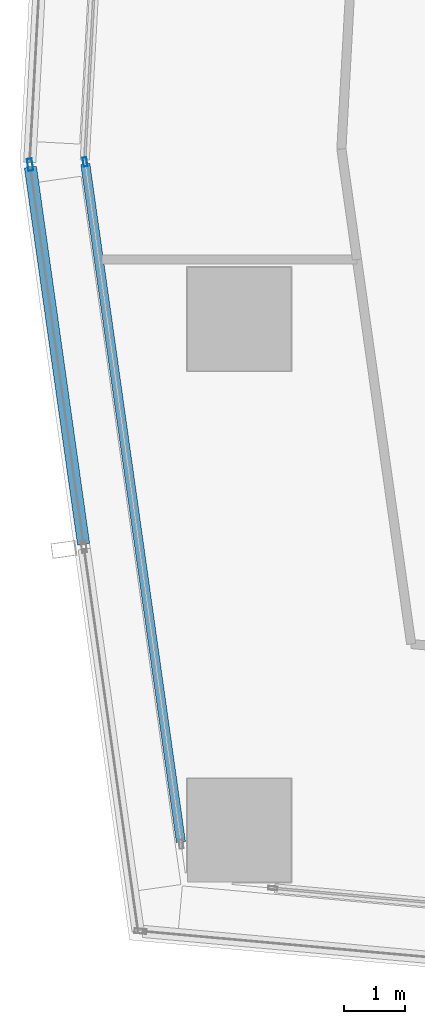
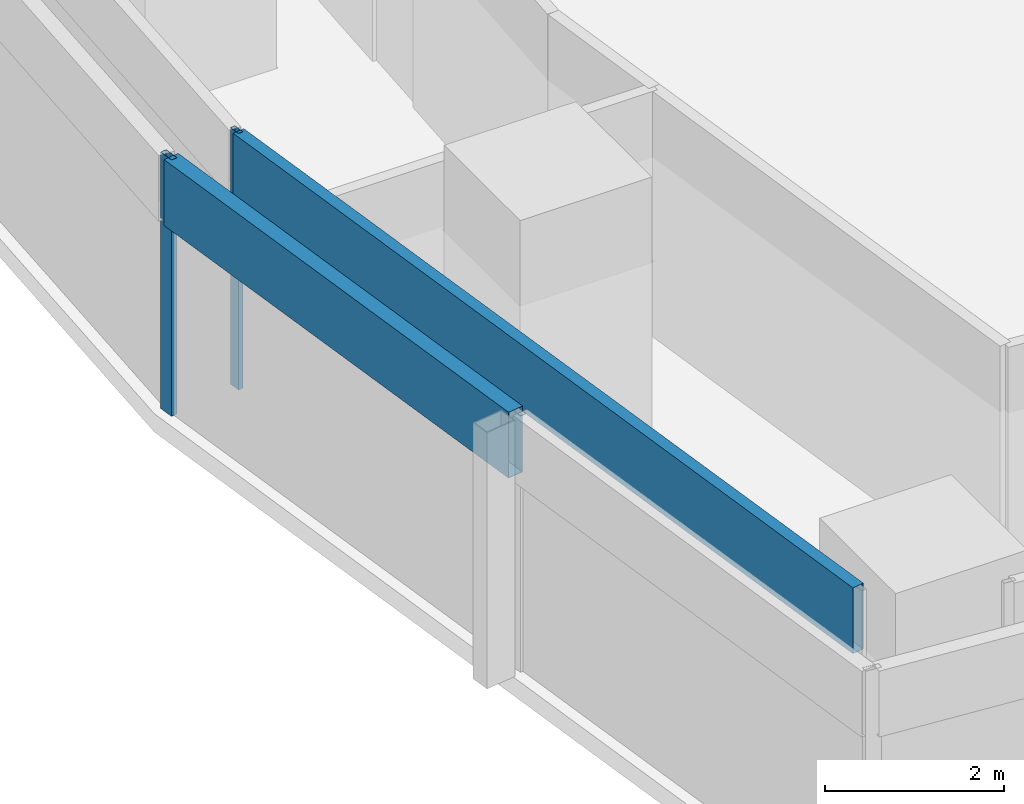
# One storey, part 4 of 40: 4 members, 2 elements without a shape of their own.
"""IFC4 building model written with IfcOpenShell, lengths in metres."""

from ifc_helpers import new_model, si_unit, direction, frame, origin, origin_2d, place, context, subcontext, project, spatial, hollow_rectangle, extrude, material, material_profile, profile_set, type_object, element, aggregate, save


model = new_model("IFC4")

# Units and contexts
model_context = context("Model", 3, precision=1e-05, world=origin(), true_north=direction((0.0, 1.0)))
body_context = subcontext(model_context, "Body", "Model", "MODEL_VIEW")
ifc_project = project(units=[si_unit("LENGTHUNIT", "METRE"), si_unit("AREAUNIT", "SQUARE_METRE"), si_unit("VOLUMEUNIT", "CUBIC_METRE"), si_unit("PLANEANGLEUNIT", "RADIAN"), si_unit("MASSUNIT", "GRAM", prefix="KILO")], contexts=[model_context])

# Site, building, storey
site_placement = place(None, origin())
site = spatial("IfcSite", under=ifc_project, at=site_placement, CompositionType="ELEMENT")
building_placement = place(site_placement, origin())
building = spatial("IfcBuilding", under=site, at=building_placement, Name="Rekha Terrace Tower", CompositionType="ELEMENT")
storey_placement = place(building_placement, frame((0.0, 0.0, 125.300048828125)))
storey = spatial("IfcBuildingStorey", under=building, at=storey_placement, Name="L31", CompositionType="ELEMENT", Elevation=125.300048828125)

# Curtain wall, members
ifc_material_1 = material(Name="Aluminium framing", Category="aluminium")
curtain_wall_type_1 = type_object("IfcCurtainWallType", Name="CW1 double skin inner glazing", PredefinedType="USERDEFINED", material=ifc_material_1)
curtain_wall_1_placement = place(storey_placement, origin())
curtain_wall_1 = element("IfcCurtainWall", 1, at=curtain_wall_1_placement, inside=storey, type_object=curtain_wall_type_1, Name="CW1 double skin inner glazing", ObjectType="DOUBLE SKIN INNER GLAZING", PredefinedType="USERDEFINED")
ifc_material_2 = material(Name="Aluminium mullion section", Category="aluminium")
ifc_material_profile_1 = material_profile(ifc_material_2, hollow_rectangle(XDim=0.06494140625, YDim=0.14990234375, WallThickness=0.00390625, at=origin_2d()), Name="AL RHS 65x150")
ifc_profile_set_1 = profile_set([ifc_material_profile_1], Name="Aluminium mullion section")
member_type_1 = type_object("IfcMemberType", Name="CW1 mullion RHS 65 x 150", PredefinedType="MULLION", material=ifc_profile_set_1)
member_1_placement = place(storey_placement, frame((5.86865234375, 27.78125, 0.0), z_axis=(0.0, 0.0, 1.0), x_axis=(0.990208394312, 0.139597048082, 0.0)))
member_1 = element("IfcMember", 2, at=member_1_placement, type_object=member_type_1, Name="CW1 mullion 1", PredefinedType="MULLION", context=body_context, shape_type="SweptSolid", body=[
    extrude(hollow_rectangle(XDim=0.06494140625, YDim=0.14990234375, WallThickness=0.00390625, at=origin_2d()), origin(), (0.0, 0.0, 1.0), 3.5),
])
ifc_material_3 = material(Name="Insulated aluminium spandrel box", Category="aluminium")
ifc_material_profile_2 = material_profile(ifc_material_3, hollow_rectangle(XDim=0.14990234375, YDim=0.89990234375, WallThickness=0.0029296875, at=origin_2d()), Name="AL SPANDREL BOX 150x900")
ifc_profile_set_2 = profile_set([ifc_material_profile_2], Name="Insulated aluminium spandrel box")
member_type_2 = type_object("IfcMemberType", Name="CW1 spandrel transom 150 x 900", PredefinedType="USERDEFINED", material=ifc_profile_set_2)
member_2_placement = place(storey_placement, frame((5.873046875, 27.7490234375, 3.050048828125), z_axis=(0.139607844155, -0.99020687225, 0.0), x_axis=(0.99020687225, 0.139607844155, 0.0)))
member_2 = element("IfcMember", 3, at=member_2_placement, type_object=member_type_2, Name="CW1 spandrel transom 1", ObjectType="TRANSOM", PredefinedType="USERDEFINED", context=body_context, shape_type="SweptSolid", body=[
    extrude(hollow_rectangle(XDim=0.14990234375, YDim=0.89990234375, WallThickness=0.0029296875, at=origin_2d()), origin(), (0.0, 0.0, 1.0), 11.253173828125),
])
aggregate(curtain_wall_1, [member_1, member_2])

curtain_wall_type_2 = type_object("IfcCurtainWallType", Name="CW2 double skin outer glazing", PredefinedType="USERDEFINED", material=ifc_material_1)
curtain_wall_2_placement = place(storey_placement, origin())
curtain_wall_2 = element("IfcCurtainWall", 4, at=curtain_wall_2_placement, inside=storey, type_object=curtain_wall_type_2, Name="CW2 double skin outer glazing", ObjectType="DOUBLE SKIN OUTER GLAZING", PredefinedType="USERDEFINED")
ifc_material_profile_3 = material_profile(ifc_material_2, hollow_rectangle(XDim=0.080078125, YDim=0.199951171875, WallThickness=0.00390625, at=origin_2d()), Name="AL RHS 80x200")
ifc_profile_set_3 = profile_set([ifc_material_profile_3], Name="Aluminium mullion section")
member_type_3 = type_object("IfcMemberType", Name="CW2 mullion RHS 80 x 200", PredefinedType="MULLION", material=ifc_profile_set_3)
member_3_placement = place(storey_placement, frame((4.96630859375, 27.7353515625, 0.0), z_axis=(0.0, 0.0, 1.0), x_axis=(0.990208394312, 0.139597048082, 0.0)))
member_3 = element("IfcMember", 5, at=member_3_placement, type_object=member_type_3, Name="CW2 mullion 1", PredefinedType="MULLION", context=body_context, shape_type="SweptSolid", body=[
    extrude(hollow_rectangle(XDim=0.080078125, YDim=0.199951171875, WallThickness=0.00390625, at=origin_2d()), origin(), (0.0, 0.0, 1.0), 3.5),
])
ifc_material_profile_4 = material_profile(ifc_material_3, hollow_rectangle(XDim=0.199951171875, YDim=0.89990234375, WallThickness=0.0029296875, at=origin_2d()), Name="AL SPANDREL BOX 200x900")
ifc_profile_set_4 = profile_set([ifc_material_profile_4], Name="Insulated aluminium spandrel box")
member_type_4 = type_object("IfcMemberType", Name="CW2 spandrel transom 200 x 900", PredefinedType="USERDEFINED", material=ifc_profile_set_4)
member_4_placement = place(storey_placement, frame((4.9716796875, 27.695556640625, 3.050048828125), z_axis=(0.139596256865, -0.990208505856, 0.0), x_axis=(0.990208505856, 0.139596256865, 0.0)))
member_4 = element("IfcMember", 6, at=member_4_placement, type_object=member_type_4, Name="CW2 spandrel transom 1", ObjectType="TRANSOM", PredefinedType="USERDEFINED", context=body_context, shape_type="SweptSolid", body=[
    extrude(hollow_rectangle(XDim=0.199951171875, YDim=0.89990234375, WallThickness=0.0029296875, at=origin_2d()), origin(), (0.0, 0.0, 1.0), 6.255859375),
])
aggregate(curtain_wall_2, [member_3, member_4])

save(model, "model.ifc")
